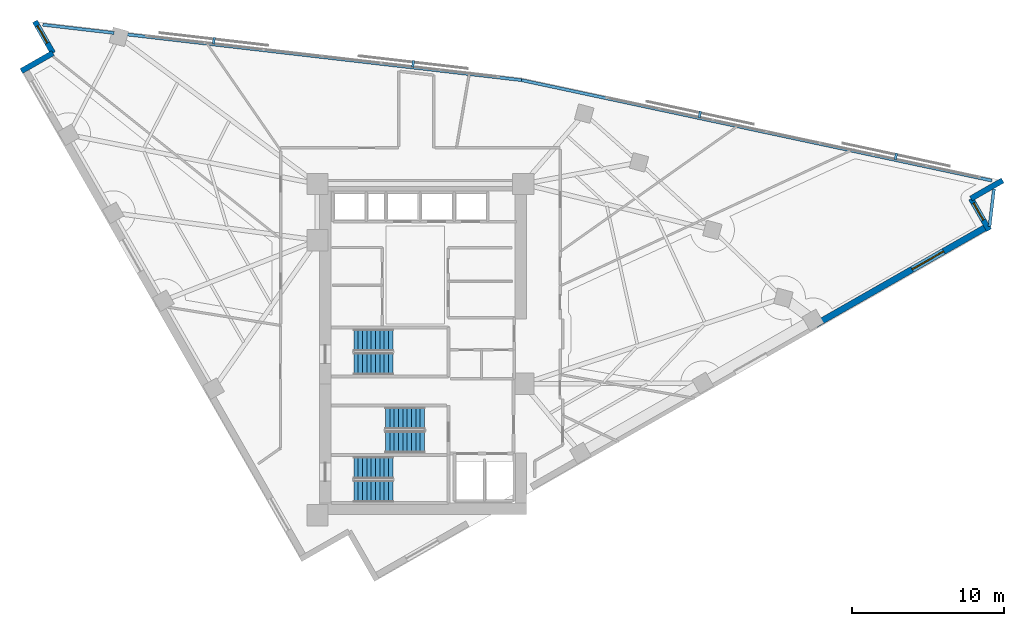
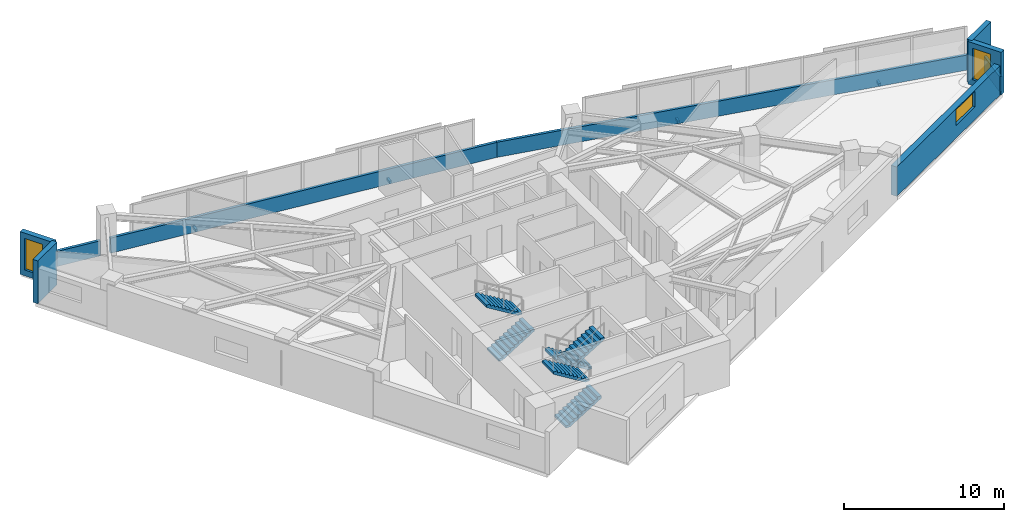
# One storey, part 12 of 14: 9 walls, 6 stair flights, 4 discrete accessories, 3 windows, 3 openings, 3 elements without a shape of their own.
"""IFC4 building model written with IfcOpenShell, lengths in metres."""

from ifc_helpers import new_model, si_unit, direction, frame, frame_2d, origin, origin_2d, place, context, subcontext, project, spatial, polyline, rectangle, outline, extrude, material, layer, layer_set, type_object, element, fill, aggregate, save


model = new_model("IFC4")

# Units and contexts
model_context = context("Model", 3, precision=1e-05, world=origin(), true_north=direction((0.0, 1.0)))
body_context = subcontext(model_context, "Body", "Model", "MODEL_VIEW")
ifc_project = project(units=[si_unit("LENGTHUNIT", "METRE"), si_unit("AREAUNIT", "SQUARE_METRE"), si_unit("VOLUMEUNIT", "CUBIC_METRE"), si_unit("PLANEANGLEUNIT", "RADIAN"), si_unit("MASSUNIT", "GRAM", prefix="KILO")], contexts=[model_context])

# Site, building, storey
site_placement = place(None, origin())
site = spatial("IfcSite", under=ifc_project, at=site_placement, CompositionType="ELEMENT")
building_placement = place(site_placement, origin())
building = spatial("IfcBuilding", under=site, at=building_placement, Name="Narakoshi Arena Tower", CompositionType="ELEMENT")
storey_placement = place(building_placement, frame((0.0, 0.0, 207.93994140625)))
storey = spatial("IfcBuildingStorey", under=building, at=storey_placement, Name="L56", CompositionType="ELEMENT", Elevation=207.93994140625)

# Walls
ifc_material_1 = material(Name="Precast concrete C45/55", Category="concrete")
ifc_layer_1 = layer(ifc_material_1, 0.25)
ifc_layer_set_1 = layer_set([ifc_layer_1], Name="Precast concrete C45/55")
wall_type_1 = type_object("IfcWallType", Name="WL-PARA-250", PredefinedType="PARAPET", material=ifc_layer_set_1)
wall_1_placement = place(storey_placement, frame((116.2392578125, 53.70849609375, 0.0), z_axis=(0.0, 0.0, 1.0), x_axis=(0.117587871261, 0.993062481686, 0.0)))
element("IfcWall", 1, at=wall_1_placement, inside=storey, type_object=wall_type_1, Name="L56 Architectural Setback Ledge Parapet", PredefinedType="PARAPET", context=body_context, shape_type="SweptSolid", body=[
    extrude(rectangle(XDim=2.4853515625, YDim=0.199951171875, at=frame_2d((1.24267578125, 0.0))), origin(), (0.0, 0.0, 1.0), 1.150146484375),
])
wall_2_placement = place(storey_placement, frame((116.3955078125, 56.7216796875, 0.0), z_axis=(0.0, 0.0, 1.0), x_axis=(-0.977936620644, 0.208901809478, 0.0)))
element("IfcWall", 2, at=wall_2_placement, inside=storey, type_object=wall_type_1, Name="L56 Hypotenuse Sill Upstand Parapet 1-01", PredefinedType="PARAPET", context=body_context, shape_type="SweptSolid", body=[
    extrude(rectangle(XDim=31.685302734375, YDim=0.199951171875, at=frame_2d((15.8427734375, 0.0))), origin(), (0.0, 0.0, 1.0), 1.150146484375),
])
wall_3_placement = place(storey_placement, frame((85.42431640625, 63.33837890625, 0.0), z_axis=(0.0, 0.0, 1.0), x_axis=(-0.993364714048, 0.115006716693, 0.0)))
element("IfcWall", 3, at=wall_3_placement, inside=storey, type_object=wall_type_1, Name="L56 Hypotenuse Sill Upstand Parapet 2-01", PredefinedType="PARAPET", context=body_context, shape_type="SweptSolid", body=[
    extrude(rectangle(XDim=26.302001953125, YDim=0.199951171875, at=frame_2d((13.15087890625, 0.0))), origin(), (0.0, 0.0, 1.0), 1.150146484375),
])
wall_4_placement = place(storey_placement, frame((58.621826171875, 66.44140625, 0.0), z_axis=(0.0, 0.0, 1.0), x_axis=(-0.993362937665, 0.115022059074, 0.0)))
element("IfcWall", 4, at=wall_4_placement, inside=storey, type_object=wall_type_1, Name="L56 Hypotenuse Sill Upstand Parapet 2-02", PredefinedType="PARAPET", context=body_context, shape_type="SweptSolid", body=[
    extrude(rectangle(XDim=4.72705078125, YDim=0.199951171875, at=frame_2d((2.363525390625, 0.0))), origin(), (0.0, 0.0, 1.0), 1.150146484375),
])

# Wall, opening, window
ifc_layer_2 = layer(ifc_material_1, 0.419921875)
ifc_layer_set_2 = layer_set([ifc_layer_2], Name="Precast concrete C45/55")
wall_type_2 = type_object("IfcWallType", Name="WL-POD-420", PredefinedType="SOLIDWALL", material=ifc_layer_set_2)
wall_5_placement = place(storey_placement, frame((104.791015625, 47.25048828125, 0.0), z_axis=(0.0, 0.0, 1.0), x_axis=(0.868193423982, 0.496225934987, 0.0)))
wall_5 = element("IfcWall", 5, at=wall_5_placement, inside=storey, type_object=wall_type_2, Name="L56 Architectural Concrete Facade Wall LEGA-4", PredefinedType="SOLIDWALL", context=body_context, shape_type="SweptSolid", body=[
    extrude(rectangle(XDim=12.9951171875, YDim=0.419921875, at=frame_2d((6.49755859375, 0.0))), origin(), (0.0, 0.0, 1.0), 2.2451171875),
])
opening_1_placement = place(wall_5_placement, frame((7.309814453125, 0.0, 0.965087890625)))
opening_1 = element("IfcOpeningElement", 6, at=opening_1_placement, cuts=wall_5, Name="Opening WN-04", PredefinedType="OPENING", context=body_context, shape_type="SweptSolid", body=[
    extrude(rectangle(XDim=2.39990234375, YDim=1.199951171875, at=frame_2d((1.199951171875, 0.60009765625))), frame((0.0, 0.219970703125, 0.0), z_axis=(0.0, -1.0, 0.0), x_axis=(1.0, 0.0, 0.0)), (0.0, 0.0, 1.0), 0.43994140625),
])
ifc_material_2 = material(Name="Bronze-tinted low-E laminated glass", Category="glass")
window_type_1 = type_object("IfcWindowType", Name="WIN-SLT-24x12", PartitioningType="SINGLE_PANEL", PredefinedType="WINDOW", material=ifc_material_2)
window_1_placement = place(opening_1_placement, origin())
window_1 = element("IfcWindow", 7, at=window_1_placement, inside=storey, type_object=window_type_1, Name="L56 LEGA4 Horizontal Slot Window 1", OverallHeight=1.199951171875, OverallWidth=2.39990234375, PartitioningType="SINGLE_PANEL", PredefinedType="WINDOW", context=body_context, shape_type="SweptSolid", body=[
    extrude(rectangle(XDim=2.39990234375, YDim=1.199951171875, at=frame_2d((1.199951171875, 0.60009765625))), frame((0.0, 0.030029296875, 0.0), z_axis=(0.0, -1.0, 0.0), x_axis=(1.0, 0.0, 0.0)), (0.0, 0.0, 1.0), 0.06005859375),
])
fill(opening_1, window_1)

wall_6_placement = place(storey_placement, frame((116.209716796875, 53.460205078125, 0.0), z_axis=(0.0, 0.0, 1.0), x_axis=(-0.496215637313, 0.868199309655, 0.0)))
wall_6 = element("IfcWall", 8, at=wall_6_placement, inside=storey, type_object=wall_type_2, Name="L56 Re-Entrant Corner Notch Wall NTE-1", PredefinedType="SOLIDWALL", context=body_context, shape_type="SweptSolid", body=[
    extrude(rectangle(XDim=2.3994140625, YDim=0.360107421875, at=frame_2d((1.19970703125, 0.0))), origin(), (0.0, 0.0, 1.0), 3.260009765625),
])
opening_2_placement = place(wall_6_placement, frame((0.759765625, 0.0, 0.449951171875)))
opening_2 = element("IfcOpeningElement", 9, at=opening_2_placement, cuts=wall_6, Name="Opening WN-06", PredefinedType="OPENING", context=body_context, shape_type="SweptSolid", body=[
    extrude(rectangle(XDim=1.300048828125, YDim=2.39990234375, at=frame_2d((0.64990234375, 1.199951171875))), frame((0.0, 0.18994140625, 0.0), z_axis=(0.0, -1.0, 0.0), x_axis=(1.0, 0.0, 0.0)), (0.0, 0.0, 1.0), 0.380126953125),
])
window_type_2 = type_object("IfcWindowType", Name="WIN-NTC-16x24", PartitioningType="SINGLE_PANEL", PredefinedType="WINDOW", material=ifc_material_2)
window_2_placement = place(opening_2_placement, origin())
window_2 = element("IfcWindow", 10, at=window_2_placement, inside=storey, type_object=window_type_2, Name="L56 Corner Notch Window NTE", OverallHeight=2.39990234375, OverallWidth=1.300048828125, PartitioningType="SINGLE_PANEL", PredefinedType="WINDOW", context=body_context, shape_type="SweptSolid", body=[
    extrude(rectangle(XDim=1.300048828125, YDim=2.39990234375, at=frame_2d((0.64990234375, 1.199951171875))), frame((0.0, 0.030029296875, 0.0), z_axis=(0.0, -1.0, 0.0), x_axis=(1.0, 0.0, 0.0)), (0.0, 0.0, 1.0), 0.06005859375),
])
fill(opening_2, window_2)

# Wall
wall_7_placement = place(storey_placement, frame((115.01904296875, 55.54345703125, 0.0), z_axis=(0.0, 0.0, 1.0), x_axis=(0.86818053093, 0.4962484919, 0.0)))
element("IfcWall", 11, at=wall_7_placement, inside=storey, type_object=wall_type_2, Name="L56 Re-Entrant Corner Notch Wall NTE-2", PredefinedType="SOLIDWALL", context=body_context, shape_type="SweptSolid", body=[
    extrude(rectangle(XDim=2.39990234375, YDim=0.360107421875, at=frame_2d((1.199951171875, 0.0))), origin(), (0.0, 0.0, 1.0), 3.260009765625),
])

# Wall, opening, window
wall_8_placement = place(storey_placement, frame((53.408203125, 67.2060546875, 0.0), z_axis=(0.0, 0.0, 1.0), x_axis=(0.496292324652, -0.868155474838, 0.0)))
wall_8 = element("IfcWall", 12, at=wall_8_placement, inside=storey, type_object=wall_type_2, Name="L56 Re-Entrant Corner Notch Wall NTN-1", PredefinedType="SOLIDWALL", context=body_context, shape_type="SweptSolid", body=[
    extrude(rectangle(XDim=2.399658203125, YDim=0.360107421875, at=frame_2d((1.19970703125, 0.0))), origin(), (0.0, 0.0, 1.0), 3.260009765625),
])
opening_3_placement = place(wall_8_placement, frame((0.340087890625, 0.0, 0.449951171875)))
opening_3 = element("IfcOpeningElement", 13, at=opening_3_placement, cuts=wall_8, Name="Opening WN-06", PredefinedType="OPENING", context=body_context, shape_type="SweptSolid", body=[
    extrude(rectangle(XDim=1.300048828125, YDim=2.39990234375, at=frame_2d((0.64990234375, 1.199951171875))), frame((0.0, 0.18994140625, 0.0), z_axis=(0.0, -1.0, 0.0), x_axis=(1.0, 0.0, 0.0)), (0.0, 0.0, 1.0), 0.380126953125),
])
window_3_placement = place(opening_3_placement, origin())
window_3 = element("IfcWindow", 14, at=window_3_placement, inside=storey, type_object=window_type_2, Name="L56 Corner Notch Window NTN", OverallHeight=2.39990234375, OverallWidth=1.300048828125, PartitioningType="SINGLE_PANEL", PredefinedType="WINDOW", context=body_context, shape_type="SweptSolid", body=[
    extrude(rectangle(XDim=1.300048828125, YDim=2.39990234375, at=frame_2d((0.64990234375, 1.199951171875))), frame((0.0, 0.030029296875, 0.0), z_axis=(0.0, -1.0, 0.0), x_axis=(1.0, 0.0, 0.0)), (0.0, 0.0, 1.0), 0.06005859375),
])
fill(opening_3, window_3)

# Wall
wall_9_placement = place(storey_placement, frame((54.59912109375, 65.122802734375, 0.0), z_axis=(0.0, 0.0, 1.0), x_axis=(-0.86818053093, -0.4962484919, 0.0)))
element("IfcWall", 15, at=wall_9_placement, inside=storey, type_object=wall_type_2, Name="L56 Re-Entrant Corner Notch Wall NTN-2", PredefinedType="SOLIDWALL", context=body_context, shape_type="SweptSolid", body=[
    extrude(rectangle(XDim=2.39990234375, YDim=0.360107421875, at=frame_2d((1.199951171875, 0.0))), origin(), (0.0, 0.0, 1.0), 3.260009765625),
])

# Stair, stair flights
ifc_material_3 = material(Name="Concrete C45/55", Category="concrete")
stair_type = type_object("IfcStairType", Name="STR-CORE-352", PredefinedType="TWO_STRAIGHT_RUN_STAIR", material=ifc_material_3)
stair_1_placement = place(storey_placement, origin())
stair_1 = element("IfcStair", 16, at=stair_1_placement, inside=storey, type_object=stair_type, Name="L56 Core Escape Stair ST1", PredefinedType="TWO_STRAIGHT_RUN_STAIR")
stair_flight_type = type_object("IfcStairFlightType", Name="FLT-145-160", PredefinedType="STRAIGHT", material=ifc_material_1)
stair_flight_1_placement = place(storey_placement, frame((74.39990234375, 36.27490234375, 0.0), z_axis=(0.0, 0.0, 1.0), x_axis=(1.0, 0.0, 0.0)))
stair_flight_1 = element("IfcStairFlight", 17, at=stair_flight_1_placement, type_object=stair_flight_type, Name="ST1 flight 1", NumberOfRisers=10, NumberOfTreads=9, PredefinedType="STRAIGHT", RiserHeight=0.176, TreadLength=0.285, context=body_context, shape_type="SweptSolid", body=[
    extrude(outline(polyline([(0.0, 0.0), (0.0, 0.176025390625), (0.284912109375, 0.176025390625), (0.284912109375, 0.35205078125), (0.570068359375, 0.35205078125), (0.570068359375, 0.528076171875), (0.85498046875, 0.528076171875), (0.85498046875, 0.7041015625), (1.139892578125, 0.7041015625), (1.139892578125, 0.8798828125), (1.425048828125, 0.8798828125), (1.425048828125, 1.055908203125), (1.7099609375, 1.055908203125), (1.7099609375, 1.23193359375), (1.9951171875, 1.23193359375), (1.9951171875, 1.407958984375), (2.280029296875, 1.407958984375), (2.280029296875, 1.583984375), (2.56494140625, 1.583984375), (2.56494140625, 1.760009765625), (2.56494140625, 1.40771484375), (0.285400390625, 0.0), (0.0, 0.0)])), frame((0.0, 0.72509765625, 0.0), z_axis=(0.0, -1.0, 0.0), x_axis=(1.0, 0.0, 0.0)), (0.0, 0.0, 1.0), 1.449951171875),
])
stair_flight_2_placement = place(storey_placement, frame((76.965087890625, 37.824951171875, 1.760009765625), z_axis=(0.0, 0.0, 1.0), x_axis=(-1.0, 0.0, 0.0)))
stair_flight_2 = element("IfcStairFlight", 18, at=stair_flight_2_placement, type_object=stair_flight_type, Name="ST1 flight 2", NumberOfRisers=10, NumberOfTreads=9, PredefinedType="STRAIGHT", RiserHeight=0.176, TreadLength=0.285, context=body_context, shape_type="SweptSolid", body=[
    extrude(outline(polyline([(0.0, 0.0), (0.0, 0.176025390625), (0.284912109375, 0.176025390625), (0.284912109375, 0.35205078125), (0.570068359375, 0.35205078125), (0.570068359375, 0.528076171875), (0.85498046875, 0.528076171875), (0.85498046875, 0.7041015625), (1.139892578125, 0.7041015625), (1.139892578125, 0.8798828125), (1.425048828125, 0.8798828125), (1.425048828125, 1.055908203125), (1.7099609375, 1.055908203125), (1.7099609375, 1.23193359375), (1.9951171875, 1.23193359375), (1.9951171875, 1.407958984375), (2.280029296875, 1.407958984375), (2.280029296875, 1.583984375), (2.56494140625, 1.583984375), (2.56494140625, 1.760009765625), (2.56494140625, 1.40771484375), (0.285400390625, 0.0), (0.0, 0.0)])), frame((0.0, 0.72509765625, 0.0), z_axis=(0.0, -1.0, 0.0), x_axis=(1.0, 0.0, 0.0)), (0.0, 0.0, 1.0), 1.449951171875),
])
aggregate(stair_1, [stair_flight_1, stair_flight_2])

stair_2_placement = place(storey_placement, origin())
stair_2 = element("IfcStair", 19, at=stair_2_placement, inside=storey, type_object=stair_type, Name="L56 Core Escape Stair ST2", PredefinedType="TWO_STRAIGHT_RUN_STAIR")
stair_flight_3_placement = place(storey_placement, frame((79.050048828125, 41.074951171875, 0.0), z_axis=(0.0, 0.0, 1.0), x_axis=(-1.0, 0.0, 0.0)))
stair_flight_3 = element("IfcStairFlight", 20, at=stair_flight_3_placement, type_object=stair_flight_type, Name="ST2 flight 1", NumberOfRisers=10, NumberOfTreads=9, PredefinedType="STRAIGHT", RiserHeight=0.176, TreadLength=0.285, context=body_context, shape_type="SweptSolid", body=[
    extrude(outline(polyline([(0.0, 0.0), (0.0, 0.176025390625), (0.284912109375, 0.176025390625), (0.284912109375, 0.35205078125), (0.570068359375, 0.35205078125), (0.570068359375, 0.528076171875), (0.85498046875, 0.528076171875), (0.85498046875, 0.7041015625), (1.139892578125, 0.7041015625), (1.139892578125, 0.8798828125), (1.425048828125, 0.8798828125), (1.425048828125, 1.055908203125), (1.7099609375, 1.055908203125), (1.7099609375, 1.23193359375), (1.9951171875, 1.23193359375), (1.9951171875, 1.407958984375), (2.280029296875, 1.407958984375), (2.280029296875, 1.583984375), (2.56494140625, 1.583984375), (2.56494140625, 1.760009765625), (2.56494140625, 1.40771484375), (0.285400390625, 0.0), (0.0, 0.0)])), frame((0.0, 0.72509765625, 0.0), z_axis=(0.0, -1.0, 0.0), x_axis=(1.0, 0.0, 0.0)), (0.0, 0.0, 1.0), 1.449951171875),
])
stair_flight_4_placement = place(storey_placement, frame((76.485107421875, 39.52490234375, 1.760009765625), z_axis=(0.0, 0.0, 1.0), x_axis=(1.0, 0.0, 0.0)))
stair_flight_4 = element("IfcStairFlight", 21, at=stair_flight_4_placement, type_object=stair_flight_type, Name="ST2 flight 2", NumberOfRisers=10, NumberOfTreads=9, PredefinedType="STRAIGHT", RiserHeight=0.176, TreadLength=0.285, context=body_context, shape_type="SweptSolid", body=[
    extrude(outline(polyline([(0.0, 0.0), (0.0, 0.176025390625), (0.284912109375, 0.176025390625), (0.284912109375, 0.35205078125), (0.570068359375, 0.35205078125), (0.570068359375, 0.528076171875), (0.85498046875, 0.528076171875), (0.85498046875, 0.7041015625), (1.139892578125, 0.7041015625), (1.139892578125, 0.8798828125), (1.425048828125, 0.8798828125), (1.425048828125, 1.055908203125), (1.7099609375, 1.055908203125), (1.7099609375, 1.23193359375), (1.9951171875, 1.23193359375), (1.9951171875, 1.407958984375), (2.280029296875, 1.407958984375), (2.280029296875, 1.583984375), (2.56494140625, 1.583984375), (2.56494140625, 1.760009765625), (2.56494140625, 1.40771484375), (0.285400390625, 0.0), (0.0, 0.0)])), frame((0.0, 0.72509765625, 0.0), z_axis=(0.0, -1.0, 0.0), x_axis=(1.0, 0.0, 0.0)), (0.0, 0.0, 1.0), 1.449951171875),
])
aggregate(stair_2, [stair_flight_3, stair_flight_4])

stair_3_placement = place(storey_placement, origin())
stair_3 = element("IfcStair", 22, at=stair_3_placement, inside=storey, type_object=stair_type, Name="L56 Core Escape Stair ST3", PredefinedType="TWO_STRAIGHT_RUN_STAIR")
stair_flight_5_placement = place(storey_placement, frame((74.39990234375, 44.675048828125, 0.0), z_axis=(0.0, 0.0, 1.0), x_axis=(1.0, 0.0, 0.0)))
stair_flight_5 = element("IfcStairFlight", 23, at=stair_flight_5_placement, type_object=stair_flight_type, Name="ST3 flight 1", NumberOfRisers=10, NumberOfTreads=9, PredefinedType="STRAIGHT", RiserHeight=0.176, TreadLength=0.285, context=body_context, shape_type="SweptSolid", body=[
    extrude(outline(polyline([(0.0, 0.0), (0.0, 0.176025390625), (0.284912109375, 0.176025390625), (0.284912109375, 0.35205078125), (0.570068359375, 0.35205078125), (0.570068359375, 0.528076171875), (0.85498046875, 0.528076171875), (0.85498046875, 0.7041015625), (1.139892578125, 0.7041015625), (1.139892578125, 0.8798828125), (1.425048828125, 0.8798828125), (1.425048828125, 1.055908203125), (1.7099609375, 1.055908203125), (1.7099609375, 1.23193359375), (1.9951171875, 1.23193359375), (1.9951171875, 1.407958984375), (2.280029296875, 1.407958984375), (2.280029296875, 1.583984375), (2.56494140625, 1.583984375), (2.56494140625, 1.760009765625), (2.56494140625, 1.40771484375), (0.285400390625, 0.0), (0.0, 0.0)])), frame((0.0, 0.72509765625, 0.0), z_axis=(0.0, -1.0, 0.0), x_axis=(1.0, 0.0, 0.0)), (0.0, 0.0, 1.0), 1.449951171875),
])
stair_flight_6_placement = place(storey_placement, frame((76.965087890625, 46.22509765625, 1.760009765625), z_axis=(0.0, 0.0, 1.0), x_axis=(-1.0, 0.0, 0.0)))
stair_flight_6 = element("IfcStairFlight", 24, at=stair_flight_6_placement, type_object=stair_flight_type, Name="ST3 flight 2", NumberOfRisers=10, NumberOfTreads=9, PredefinedType="STRAIGHT", RiserHeight=0.176, TreadLength=0.285, context=body_context, shape_type="SweptSolid", body=[
    extrude(outline(polyline([(0.0, 0.0), (0.0, 0.176025390625), (0.284912109375, 0.176025390625), (0.284912109375, 0.35205078125), (0.570068359375, 0.35205078125), (0.570068359375, 0.528076171875), (0.85498046875, 0.528076171875), (0.85498046875, 0.7041015625), (1.139892578125, 0.7041015625), (1.139892578125, 0.8798828125), (1.425048828125, 0.8798828125), (1.425048828125, 1.055908203125), (1.7099609375, 1.055908203125), (1.7099609375, 1.23193359375), (1.9951171875, 1.23193359375), (1.9951171875, 1.407958984375), (2.280029296875, 1.407958984375), (2.280029296875, 1.583984375), (2.56494140625, 1.583984375), (2.56494140625, 1.760009765625), (2.56494140625, 1.40771484375), (0.285400390625, 0.0), (0.0, 0.0)])), frame((0.0, 0.72509765625, 0.0), z_axis=(0.0, -1.0, 0.0), x_axis=(1.0, 0.0, 0.0)), (0.0, 0.0, 1.0), 1.449951171875),
])
aggregate(stair_3, [stair_flight_5, stair_flight_6])

# Discrete accessories
ifc_material_4 = material(Name="Structural steel S355J2", Category="steel")
discrete_accessory_type = type_object("IfcDiscreteAccessoryType", Name="ACC-BRK-SCR", PredefinedType="BRACKET", material=ifc_material_4)
for number, where, z_axis, x_axis, name in (
    (25, (110.078125, 58.316650390625, -0.080078125), (0.0, 0.0, 1.0), (-0.977936632473, 0.208901754101, 0.0), "L56 Solar Screen Support Bracket SHD-L56-SCR1-1"),
    (26, (97.169189453125, 61.07421875, -0.080078125), (0.0, 0.0, 1.0), (-0.977936632473, 0.208901754101, 0.0), "L56 Solar Screen Support Bracket SHD-L56-SCR1-2"),
    (27, (78.2998046875, 64.40478515625, -0.080078125), (0.0, 0.0, 1.0), (-0.993364739053, 0.115006500715, 0.0), "L56 Solar Screen Support Bracket SHD-L56-SCR2-1"),
    (28, (65.187255859375, 65.9228515625, -0.080078125), (0.0, 0.0, 1.0), (-0.993364739053, 0.115006500715, 0.0), "L56 Solar Screen Support Bracket SHD-L56-SCR2-2"),
):
    element("IfcDiscreteAccessory", number, at=place(storey_placement, frame(where, z_axis=z_axis, x_axis=x_axis)), inside=storey, type_object=discrete_accessory_type, Name=name, PredefinedType="BRACKET", context=body_context, shape_type="SweptSolid", body=[
        extrude(rectangle(XDim=0.159912109375, YDim=0.43994140625, at=origin_2d()), origin(), (0.0, 0.0, 1.0), 0.199951171875),
    ])

save(model, "model.ifc")
